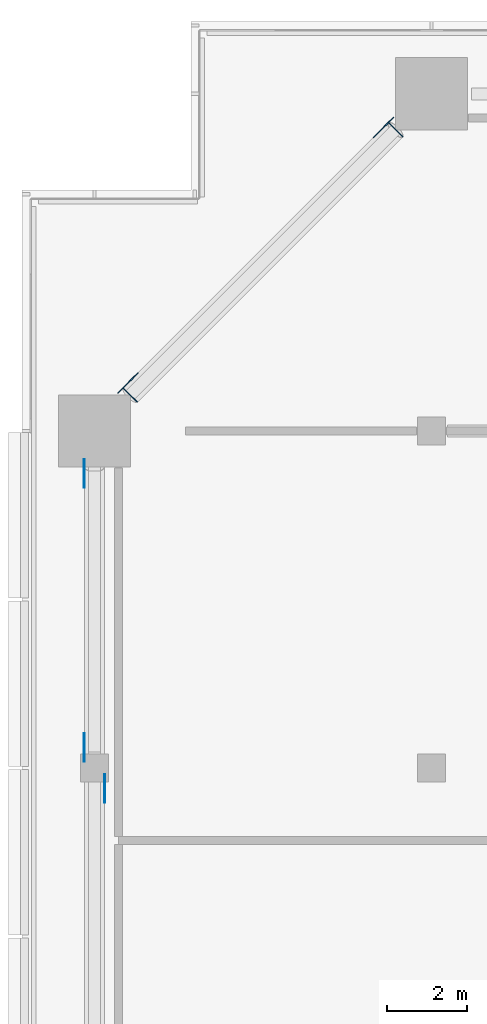
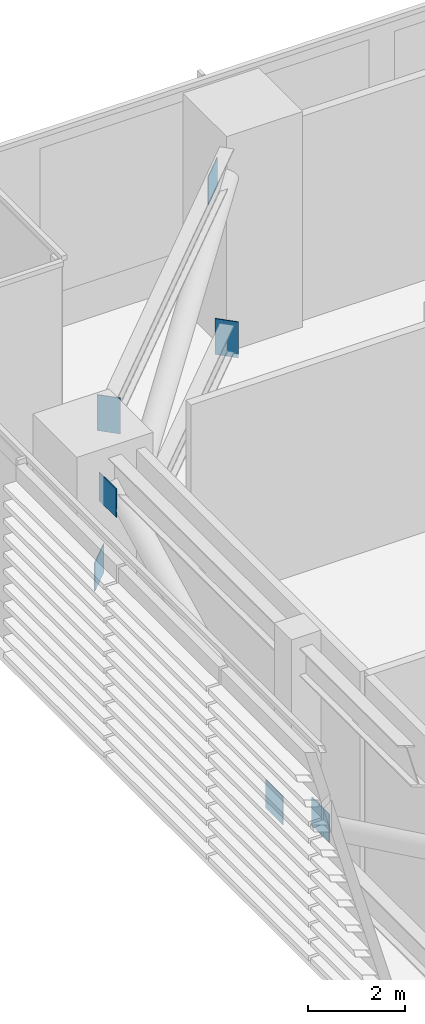
# One storey, part 21 of 29: 7 discrete accessories.
"""IFC4 building model written with IfcOpenShell, lengths in metres."""

from ifc_helpers import new_model, si_unit, direction, frame, origin, origin_2d, place, context, subcontext, project, spatial, rectangle, extrude, element, save


model = new_model("IFC4")

# Units and contexts
model_context = context("Model", 3, precision=1e-05, world=origin(), true_north=direction((0.0, 1.0)))
body_context = subcontext(model_context, "Body", "Model", "MODEL_VIEW")
ifc_project = project(units=[si_unit("LENGTHUNIT", "METRE"), si_unit("AREAUNIT", "SQUARE_METRE"), si_unit("VOLUMEUNIT", "CUBIC_METRE"), si_unit("PLANEANGLEUNIT", "RADIAN"), si_unit("MASSUNIT", "GRAM", prefix="KILO")], contexts=[model_context])

# Site, building, storey
site_placement = place(None, origin())
site = spatial("IfcSite", under=ifc_project, at=site_placement, CompositionType="ELEMENT")
building_placement = place(site_placement, origin())
building = spatial("IfcBuilding", under=site, at=building_placement, Name="Saffron Gate Tower", CompositionType="ELEMENT")
storey_placement = place(building_placement, frame((0.0, 0.0, 142.050048828125)))
storey = spatial("IfcBuildingStorey", under=building, at=storey_placement, Name="L34", CompositionType="ELEMENT", Elevation=142.050048828125)

# Discrete accessories
for number, where, z_axis, x_axis, name in (
    (1, (50.053955078125, 56.489990234375, 0.421875), (0.0, 0.0, 1.0), (0.0, -1.0, 0.0), "GUSSET PLATE"),
    (2, (49.5458984375, 57.5078125, 0.426513671875), (0.0, 0.0, 1.0), (0.0, 1.0, 0.0), "GUSSET PLATE"),
    (3, (49.5458984375, 64.34228515625, 3.982421875), (0.0, 0.0, 1.0), (0.0, 1.0, 0.0), "GUSSET PLATE"),
    (4, (50.63720703125, 66.596435546875, 0.410400390625), (0.0, 0.0, 1.0), (0.707106781187, 0.707106781187, 0.0), "GUSSET PLATE"),
    (5, (57.003662109375, 72.962890625, 3.998779296875), (0.0, 0.0, 1.0), (0.707106781187, 0.707106781187, 0.0), "GUSSET PLATE"),
):
    element("IfcDiscreteAccessory", number, at=place(storey_placement, frame(where, z_axis=z_axis, x_axis=x_axis)), inside=storey, Name=name, ObjectType="GUSSET PLATE", PredefinedType="USERDEFINED", context=body_context, shape_type="SweptSolid", body=[
        extrude(rectangle(XDim=0.7109375, YDim=0.02001953125, at=origin_2d()), origin(), (0.0, 0.0, 1.0), 0.7109375),
    ])
for number, where, z_axis, x_axis, name in (
    (6, (50.69287109375, 66.29296875, 4.320068359375), (0.0, 0.0, 1.0), (-0.707106781187, -0.707106781187, 0.0), "BELT TRUSS END PLATE"),
    (7, (57.30712890625, 72.906982421875, -0.10009765625), (0.0, 0.0, 1.0), (0.707106781187, 0.707106781187, 0.0), "BELT TRUSS END PLATE"),
):
    element("IfcDiscreteAccessory", number, at=place(storey_placement, frame(where, z_axis=z_axis, x_axis=x_axis)), inside=storey, Name=name, ObjectType="BELT TRUSS END PLATE", PredefinedType="USERDEFINED", context=body_context, shape_type="SweptSolid", body=[
        extrude(rectangle(XDim=0.02001953125, YDim=0.5, at=origin_2d()), origin(), (0.0, 0.0, 1.0), 0.89990234375),
    ])

save(model, "model.ifc")
